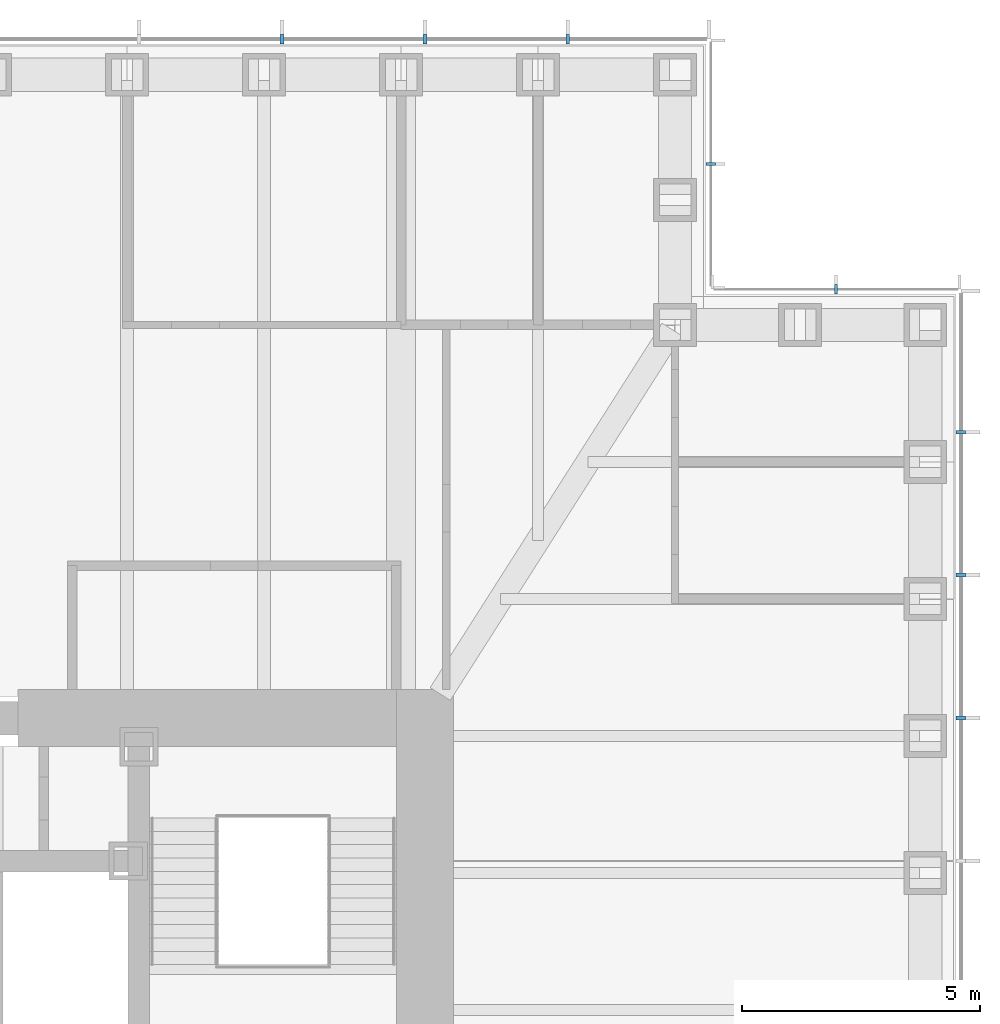
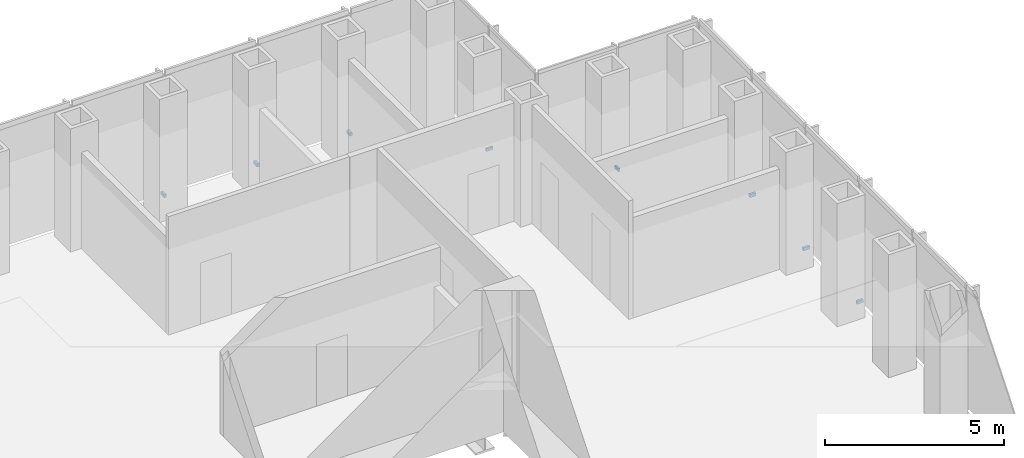
# One storey, part 16 of 17: 8 discrete accessories.
"""IFC4 building model written with IfcOpenShell, lengths in metres."""

from ifc_helpers import new_model, si_unit, direction, frame, origin, origin_2d, place, context, subcontext, project, spatial, rectangle, extrude, element, save


model = new_model("IFC4")

# Units and contexts
model_context = context("Model", 3, precision=1e-05, world=origin(), true_north=direction((0.0, 1.0)))
body_context = subcontext(model_context, "Body", "Model", "MODEL_VIEW")
ifc_project = project(units=[si_unit("LENGTHUNIT", "METRE"), si_unit("AREAUNIT", "SQUARE_METRE"), si_unit("VOLUMEUNIT", "CUBIC_METRE"), si_unit("PLANEANGLEUNIT", "RADIAN"), si_unit("MASSUNIT", "GRAM", prefix="KILO")], contexts=[model_context])

# Site, building, storey
site_placement = place(None, origin())
site = spatial("IfcSite", under=ifc_project, at=site_placement, CompositionType="ELEMENT")
building_placement = place(site_placement, origin())
building = spatial("IfcBuilding", under=site, at=building_placement, Name="Daluyong Arena Tower", CompositionType="ELEMENT")
storey_placement = place(building_placement, frame((0.0, 0.0, 150.10009765625)))
storey = spatial("IfcBuildingStorey", under=building, at=storey_placement, Name="L33", CompositionType="ELEMENT", Elevation=150.10009765625)

# Discrete accessories
for number, where, z_axis, x_axis, name in (
    (1, (79.25, 89.0, -0.10009765625), (0.0, 0.0, 1.0), (0.0, 1.0, 0.0), "curtain wall L33 E anchor bracket 10"),
    (2, (79.25, 92.0, -0.10009765625), (0.0, 0.0, 1.0), (0.0, 1.0, 0.0), "curtain wall L33 E anchor bracket 11"),
    (3, (79.25, 95.0, -0.10009765625), (0.0, 0.0, 1.0), (0.0, 1.0, 0.0), "curtain wall L33 E anchor bracket 12"),
):
    element("IfcDiscreteAccessory", number, at=place(storey_placement, frame(where, z_axis=z_axis, x_axis=x_axis)), inside=storey, Name=name, PredefinedType="BRACKET", context=body_context, shape_type="SweptSolid", body=[
        extrude(rectangle(XDim=0.080078125, YDim=0.199951171875, at=origin_2d()), origin(), (0.0, 0.0, 1.0), 0.10009765625),
    ])
for number, where, z_axis, x_axis, name in (
    (4, (76.625, 98.0, -0.10009765625), (0.0, 0.0, 1.0), (-1.0, 0.0, 0.0), "curtain wall L33 NE-N anchor bracket 2"),
    (5, (74.0, 100.625, -0.10009765625), (0.0, 0.0, 1.0), (0.0, 1.0, 0.0), "curtain wall L33 NE-E anchor bracket 2"),
):
    element("IfcDiscreteAccessory", number, at=place(storey_placement, frame(where, z_axis=z_axis, x_axis=x_axis)), inside=storey, Name=name, PredefinedType="BRACKET", context=body_context, shape_type="SweptSolid", body=[
        extrude(rectangle(XDim=0.06005859375, YDim=0.199951171875, at=origin_2d()), origin(), (0.0, 0.0, 1.0), 0.10009765625),
    ])
for number, where, z_axis, x_axis, name in (
    (6, (71.0, 103.25, -0.10009765625), (0.0, 0.0, 1.0), (-1.0, 0.0, 0.0), "curtain wall L33 N anchor bracket 2"),
    (7, (68.0, 103.25, -0.10009765625), (0.0, 0.0, 1.0), (-1.0, 0.0, 0.0), "curtain wall L33 N anchor bracket 3"),
    (8, (65.0, 103.25, -0.10009765625), (0.0, 0.0, 1.0), (-1.0, 0.0, 0.0), "curtain wall L33 N anchor bracket 4"),
):
    element("IfcDiscreteAccessory", number, at=place(storey_placement, frame(where, z_axis=z_axis, x_axis=x_axis)), inside=storey, Name=name, PredefinedType="BRACKET", context=body_context, shape_type="SweptSolid", body=[
        extrude(rectangle(XDim=0.080078125, YDim=0.199951171875, at=origin_2d()), origin(), (0.0, 0.0, 1.0), 0.10009765625),
    ])

save(model, "model.ifc")
